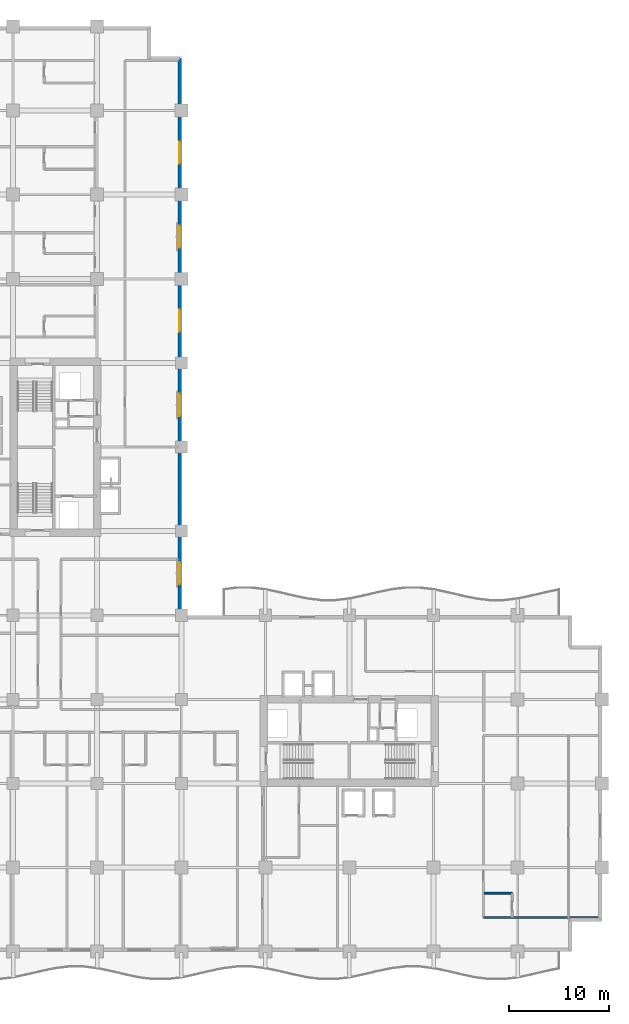
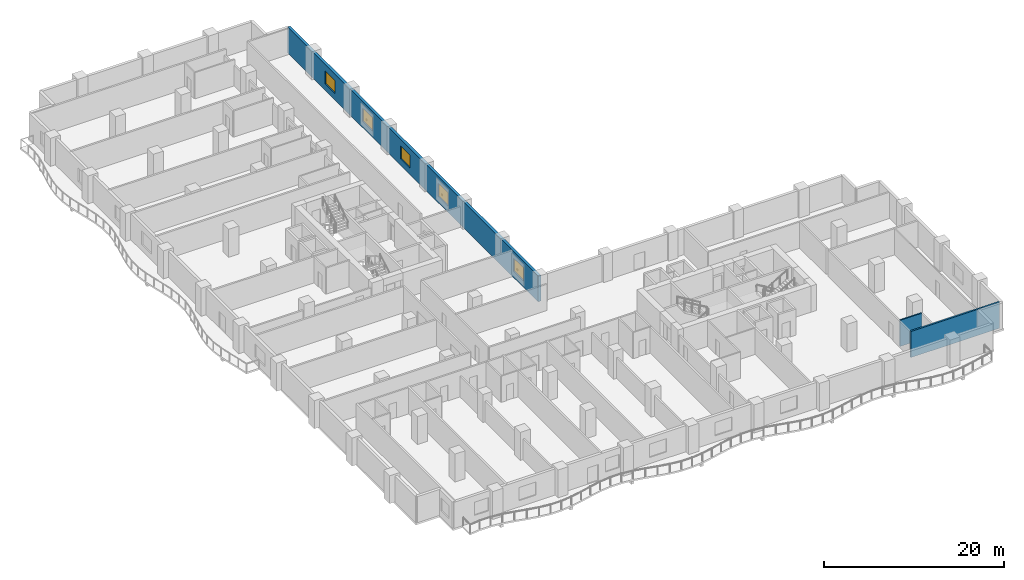
# One storey, part 9 of 17: 5 windows, 3 walls, 5 openings.
"""IFC4 building model written with IfcOpenShell, lengths in metres."""

from ifc_helpers import new_model, si_unit, direction, frame, frame_2d, origin, place, context, subcontext, project, spatial, rectangle, extrude, material, layer, layer_set, type_object, element, fill, save


model = new_model("IFC4")

# Units and contexts
model_context = context("Model", 3, precision=1e-05, world=origin(), true_north=direction((0.0, 1.0)))
body_context = subcontext(model_context, "Body", "Model", "MODEL_VIEW")
ifc_project = project(units=[si_unit("LENGTHUNIT", "METRE"), si_unit("AREAUNIT", "SQUARE_METRE"), si_unit("VOLUMEUNIT", "CUBIC_METRE"), si_unit("PLANEANGLEUNIT", "RADIAN"), si_unit("MASSUNIT", "GRAM", prefix="KILO")], contexts=[model_context])

# Site, building, storey
site_placement = place(None, origin())
site = spatial("IfcSite", under=ifc_project, at=site_placement, CompositionType="ELEMENT")
building_placement = place(site_placement, origin())
building = spatial("IfcBuilding", under=site, at=building_placement, Name="Koriwani Terraces Tower", CompositionType="ELEMENT")
storey_placement = place(building_placement, frame((0.0, 0.0, 130.39990234375)))
storey = spatial("IfcBuildingStorey", under=building, at=storey_placement, Name="L31", CompositionType="ELEMENT", Elevation=130.39990234375)

# Wall
ifc_material_1 = material(Name="Autoclaved Cellular Concrete Blockwork", Category="masonry")
ifc_layer_1 = layer(ifc_material_1, 0.219970703125, Name="Autoclaved Cellular Concrete Blockwork")
ifc_layer_set_1 = layer_set([ifc_layer_1], Name="Autoclaved Cellular Concrete Blockwork")
wall_type_1 = type_object("IfcWallType", Name="WALL_DEMISING_220", PredefinedType="PARTITIONING", material=ifc_layer_set_1)
wall_1_placement = place(storey_placement, frame((63.800048828125, 3.39990234375, 0.0), z_axis=(0.0, 0.0, 1.0), x_axis=(1.0, 0.0, 0.0)))
element("IfcWall", 1, at=wall_1_placement, inside=storey, type_object=wall_type_1, Name="L31 Interior Wall WGB-L31-SETIP-S", PredefinedType="PARTITIONING", context=body_context, shape_type="SweptSolid", body=[
    extrude(rectangle(XDim=11.419921875, YDim=0.219970703125, at=frame_2d((5.7099609375, 0.0))), origin(), (0.0, 0.0, 1.0), 3.550048828125),
])

# Wall, openings, windows
ifc_material_2 = material(Name="Concrete C50/60", Category="concrete")
ifc_layer_2 = layer(ifc_material_2, 0.35009765625, Name="Concrete C50/60")
ifc_layer_set_2 = layer_set([ifc_layer_2], Name="Concrete C50/60")
wall_type_2 = type_object("IfcWallType", Name="WALL_EXT_BRUTALIST_350", PredefinedType="STANDARD", material=ifc_layer_set_2)
wall_2_placement = place(storey_placement, frame((33.425048828125, 89.22509765625, 0.0), z_axis=(0.0, 0.0, 1.0), x_axis=(0.0, -1.0, 0.0)))
wall_2 = element("IfcWall", 2, at=wall_2_placement, inside=storey, type_object=wall_type_2, Name="L31 Fair-Faced Brutalist Exterior Wall (NW_IN)", PredefinedType="STANDARD", context=body_context, shape_type="SweptSolid", body=[
    extrude(rectangle(XDim=55.800048828125, YDim=0.35009765625, at=frame_2d((27.89990234375, 0.0))), origin(), (0.0, 0.0, 1.0), 3.550048828125),
])
opening_1_placement = place(wall_2_placement, frame((50.324951171875, 0.0, 0.85009765625)))
opening_1 = element("IfcOpeningElement", 3, at=opening_1_placement, cuts=wall_2, Name="Opening W-01", PredefinedType="OPENING", context=body_context, shape_type="SweptSolid", body=[
    extrude(rectangle(XDim=2.199951171875, YDim=1.800048828125, at=frame_2d((1.10009765625, 0.89990234375))), frame((0.0, 0.18505859375, 0.0), z_axis=(0.0, -1.0, 0.0), x_axis=(1.0, 0.0, 0.0)), (0.0, 0.0, 1.0), 0.3701171875),
])
opening_2_placement = place(wall_2_placement, frame((33.52490234375, 0.0, 0.85009765625)))
opening_2 = element("IfcOpeningElement", 4, at=opening_2_placement, cuts=wall_2, Name="Opening W-01", PredefinedType="OPENING", context=body_context, shape_type="SweptSolid", body=[
    extrude(rectangle(XDim=2.199951171875, YDim=1.800048828125, at=frame_2d((1.10009765625, 0.89990234375))), frame((0.0, 0.18505859375, 0.0), z_axis=(0.0, -1.0, 0.0), x_axis=(1.0, 0.0, 0.0)), (0.0, 0.0, 1.0), 0.3701171875),
])
opening_3_placement = place(wall_2_placement, frame((25.125, 0.0, 0.85009765625)))
opening_3 = element("IfcOpeningElement", 5, at=opening_3_placement, cuts=wall_2, Name="Opening W-01", PredefinedType="OPENING", context=body_context, shape_type="SweptSolid", body=[
    extrude(rectangle(XDim=2.199951171875, YDim=1.800048828125, at=frame_2d((1.10009765625, 0.89990234375))), frame((0.0, 0.18505859375, 0.0), z_axis=(0.0, -1.0, 0.0), x_axis=(1.0, 0.0, 0.0)), (0.0, 0.0, 1.0), 0.3701171875),
])
opening_4_placement = place(wall_2_placement, frame((16.72509765625, 0.0, 0.85009765625)))
opening_4 = element("IfcOpeningElement", 6, at=opening_4_placement, cuts=wall_2, Name="Opening W-01", PredefinedType="OPENING", context=body_context, shape_type="SweptSolid", body=[
    extrude(rectangle(XDim=2.199951171875, YDim=1.800048828125, at=frame_2d((1.10009765625, 0.89990234375))), frame((0.0, 0.18505859375, 0.0), z_axis=(0.0, -1.0, 0.0), x_axis=(1.0, 0.0, 0.0)), (0.0, 0.0, 1.0), 0.3701171875),
])
opening_5_placement = place(wall_2_placement, frame((8.324951171875, 0.0, 0.85009765625)))
opening_5 = element("IfcOpeningElement", 7, at=opening_5_placement, cuts=wall_2, Name="Opening W-01", PredefinedType="OPENING", context=body_context, shape_type="SweptSolid", body=[
    extrude(rectangle(XDim=2.199951171875, YDim=1.800048828125, at=frame_2d((1.10009765625, 0.89990234375))), frame((0.0, 0.18505859375, 0.0), z_axis=(0.0, -1.0, 0.0), x_axis=(1.0, 0.0, 0.0)), (0.0, 0.0, 1.0), 0.3701171875),
])
ifc_material_3 = material(Name="Tempered Laminated Low-E Glass", Category="glass")
window_type = type_object("IfcWindowType", Name="WIN_HOTEL_STD_2200X1800", PartitioningType="DOUBLE_PANEL_VERTICAL", PredefinedType="WINDOW", material=ifc_material_3)
window_1_placement = place(opening_1_placement, origin())
window_1 = element("IfcWindow", 8, at=window_1_placement, inside=storey, type_object=window_type, Name="L31 Exterior Window (NW_IN-2)", OverallHeight=1.800048828125, OverallWidth=2.199951171875, PartitioningType="SINGLE_PANEL", PredefinedType="WINDOW", context=body_context, shape_type="SweptSolid", body=[
    extrude(rectangle(XDim=2.199951171875, YDim=1.800048828125, at=frame_2d((1.10009765625, 0.89990234375))), frame((0.0, 0.030029296875, 0.0), z_axis=(0.0, -1.0, 0.0), x_axis=(1.0, 0.0, 0.0)), (0.0, 0.0, 1.0), 0.06005859375),
])
fill(opening_1, window_1)
window_2_placement = place(opening_2_placement, origin())
window_2 = element("IfcWindow", 9, at=window_2_placement, inside=storey, type_object=window_type, Name="L31 Exterior Window (NW_IN-8)", OverallHeight=1.800048828125, OverallWidth=2.199951171875, PartitioningType="SINGLE_PANEL", PredefinedType="WINDOW", context=body_context, shape_type="SweptSolid", body=[
    extrude(rectangle(XDim=2.199951171875, YDim=1.800048828125, at=frame_2d((1.10009765625, 0.89990234375))), frame((0.0, 0.030029296875, 0.0), z_axis=(0.0, -1.0, 0.0), x_axis=(1.0, 0.0, 0.0)), (0.0, 0.0, 1.0), 0.06005859375),
])
fill(opening_2, window_2)
window_3_placement = place(opening_3_placement, origin())
window_3 = element("IfcWindow", 10, at=window_3_placement, inside=storey, type_object=window_type, Name="L31 Exterior Window (NW_IN-11)", OverallHeight=1.800048828125, OverallWidth=2.199951171875, PartitioningType="SINGLE_PANEL", PredefinedType="WINDOW", context=body_context, shape_type="SweptSolid", body=[
    extrude(rectangle(XDim=2.199951171875, YDim=1.800048828125, at=frame_2d((1.10009765625, 0.89990234375))), frame((0.0, 0.030029296875, 0.0), z_axis=(0.0, -1.0, 0.0), x_axis=(1.0, 0.0, 0.0)), (0.0, 0.0, 1.0), 0.06005859375),
])
fill(opening_3, window_3)
window_4_placement = place(opening_4_placement, origin())
window_4 = element("IfcWindow", 11, at=window_4_placement, inside=storey, type_object=window_type, Name="L31 Exterior Window (NW_IN-14)", OverallHeight=1.800048828125, OverallWidth=2.199951171875, PartitioningType="SINGLE_PANEL", PredefinedType="WINDOW", context=body_context, shape_type="SweptSolid", body=[
    extrude(rectangle(XDim=2.199951171875, YDim=1.800048828125, at=frame_2d((1.10009765625, 0.89990234375))), frame((0.0, 0.030029296875, 0.0), z_axis=(0.0, -1.0, 0.0), x_axis=(1.0, 0.0, 0.0)), (0.0, 0.0, 1.0), 0.06005859375),
])
fill(opening_4, window_4)
window_5_placement = place(opening_5_placement, origin())
window_5 = element("IfcWindow", 12, at=window_5_placement, inside=storey, type_object=window_type, Name="L31 Exterior Window (NW_IN-17)", OverallHeight=1.800048828125, OverallWidth=2.199951171875, PartitioningType="SINGLE_PANEL", PredefinedType="WINDOW", context=body_context, shape_type="SweptSolid", body=[
    extrude(rectangle(XDim=2.199951171875, YDim=1.800048828125, at=frame_2d((1.10009765625, 0.89990234375))), frame((0.0, 0.030029296875, 0.0), z_axis=(0.0, -1.0, 0.0), x_axis=(1.0, 0.0, 0.0)), (0.0, 0.0, 1.0), 0.06005859375),
])
fill(opening_5, window_5)

# Wall
ifc_material_4 = material(Name="Fire-Rated Acoustic Gypsum Partition", Category="masonry")
ifc_layer_3 = layer(ifc_material_4, 0.179931640625, Name="Fire-Rated Acoustic Gypsum Partition")
ifc_layer_set_3 = layer_set([ifc_layer_3], Name="Fire-Rated Acoustic Gypsum Partition")
wall_type_3 = type_object("IfcWallType", Name="WALL_PLUMBING_180", PredefinedType="PLUMBINGWALL", material=ifc_layer_set_3)
wall_3_placement = place(storey_placement, frame((63.85009765625, 5.85009765625, 0.0), z_axis=(0.0, 0.0, 1.0), x_axis=(1.0, 0.0, 0.0)))
element("IfcWall", 13, at=wall_3_placement, inside=storey, type_object=wall_type_3, Name="L31 Interior Wall WGB-L31-SETIP-SV2", PredefinedType="PLUMBINGWALL", context=body_context, shape_type="SweptSolid", body=[
    extrude(rectangle(XDim=2.7998046875, YDim=0.179931640625, at=frame_2d((1.39990234375, 0.0))), origin(), (0.0, 0.0, 1.0), 3.550048828125),
])

save(model, "model.ifc")
